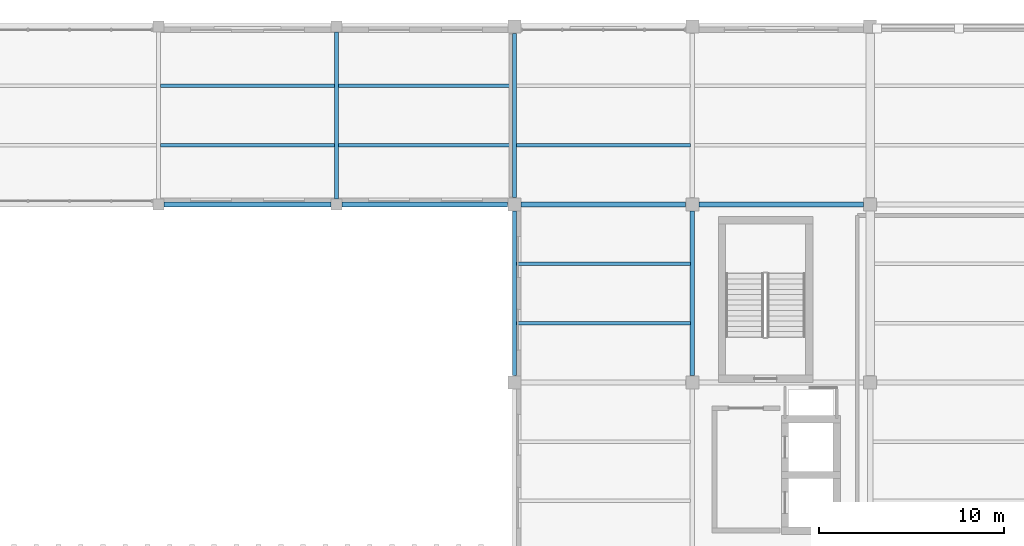
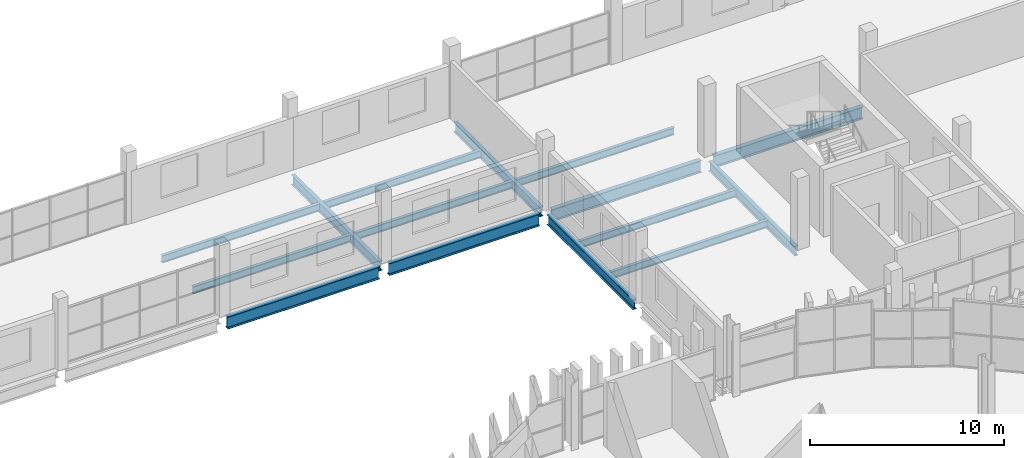
# One storey, part 43 of 92: 15 beams.
"""IFC4 building model written with IfcOpenShell, lengths in metres."""

from ifc_helpers import new_model, si_unit, direction, frame, origin, origin_2d, place, context, subcontext, project, spatial, i_section, extrude, material, material_profile, profile_set, type_object, element, save


model = new_model("IFC4")

# Units and contexts
model_context = context("Model", 3, precision=1e-05, world=origin(), true_north=direction((0.0, 1.0)))
body_context = subcontext(model_context, "Body", "Model", "MODEL_VIEW")
ifc_project = project(units=[si_unit("LENGTHUNIT", "METRE"), si_unit("AREAUNIT", "SQUARE_METRE"), si_unit("VOLUMEUNIT", "CUBIC_METRE"), si_unit("PLANEANGLEUNIT", "RADIAN"), si_unit("MASSUNIT", "GRAM", prefix="KILO")], contexts=[model_context])

# Site, building, storey
site_placement = place(None, origin())
site = spatial("IfcSite", under=ifc_project, at=site_placement, CompositionType="ELEMENT")
building_placement = place(site_placement, origin())
building = spatial("IfcBuilding", under=site, at=building_placement, Name="Caelomonte Colonnade Arena", CompositionType="ELEMENT")
storey_placement = place(building_placement, frame((0.0, 0.0, 9.60009765625)))
storey = spatial("IfcBuildingStorey", under=building, at=storey_placement, Name="L02", CompositionType="ELEMENT", Elevation=9.60009765625)

# Beams
ifc_material = material(Name="Wide-flange steel ASTM A992 Grade 50", Category="steel")
ifc_material_profile_1 = material_profile(ifc_material, i_section(OverallWidth=0.228271484375, OverallDepth=0.607177734375, WebThickness=0.01123046875, FlangeThickness=0.017333984375, FilletRadius=0.0126953125, at=origin_2d()), Name="W24X76")
ifc_profile_set_1 = profile_set([ifc_material_profile_1], Name="Wide-flange steel ASTM A992 Grade 50")
beam_type_1 = type_object("IfcBeamType", Name="STR-BM-GIRD24", PredefinedType="BEAM", material=ifc_profile_set_1)
beam_1_placement = place(storey_placement, frame((134.39990234375, 134.69189453125, -0.58349609375), z_axis=(0.0, 1.0, 0.0), x_axis=(-1.0, 0.0, 0.0)))
element("IfcBeam", 1, at=beam_1_placement, inside=storey, type_object=beam_type_1, Name="L02 girder BMY-L02-1344-1344", PredefinedType="BEAM", context=body_context, shape_type="SweptSolid", body=[
    extrude(i_section(OverallWidth=0.228271484375, OverallDepth=0.607177734375, WebThickness=0.01123046875, FlangeThickness=0.017333984375, FilletRadius=0.0126953125, at=origin_2d()), origin(), (0.0, 0.0, 1.0), 9.01611328125),
])
for number, where, z_axis, x_axis, name in (
    (2, (144.0, 125.1669921875, -0.58349609375), (0.0, 1.0, 0.0), (-1.0, 0.0, 0.0), "L02 girder BMY-L02-1440-1248"),
    (3, (144.0, 134.76708984375, -0.58349609375), (0.0, 1.0, 0.0), (-1.0, 0.0, 0.0), "L02 girder BMY-L02-1440-1344"),
    (4, (153.60009765625, 125.1669921875, -0.58349609375), (0.0, 1.0, 0.0), (-1.0, 0.0, 0.0), "L02 girder BMY-L02-1536-1248"),
):
    element("IfcBeam", number, at=place(storey_placement, frame(where, z_axis=z_axis, x_axis=x_axis)), inside=storey, type_object=beam_type_1, Name=name, PredefinedType="BEAM", context=body_context, shape_type="SweptSolid", body=[
        extrude(i_section(OverallWidth=0.228271484375, OverallDepth=0.607177734375, WebThickness=0.01123046875, FlangeThickness=0.017333984375, FilletRadius=0.0126953125, at=origin_2d()), origin(), (0.0, 0.0, 1.0), 8.865966796875),
    ])
ifc_material_profile_2 = material_profile(ifc_material, i_section(OverallWidth=0.2666015625, OverallDepth=0.761962890625, WebThickness=0.014404296875, FlangeThickness=0.021484375, FilletRadius=0.0166015625, at=origin_2d()), Name="W30X116")
ifc_profile_set_2 = profile_set([ifc_material_profile_2], Name="Wide-flange steel ASTM A992 Grade 50")
beam_type_2 = type_object("IfcBeamType", Name="STR-BM-GIRD30", PredefinedType="BEAM", material=ifc_profile_set_2)
beam_2_placement = place(storey_placement, frame((125.092041015625, 134.39990234375, -0.6611328125), z_axis=(1.0, 0.0, 0.0), x_axis=(0.0, 1.0, 0.0)))
element("IfcBeam", 5, at=beam_2_placement, inside=storey, type_object=beam_type_2, Name="L02 girder BMX-L02-1248-1344", PredefinedType="BEAM", context=body_context, shape_type="SweptSolid", body=[
    extrude(i_section(OverallWidth=0.2666015625, OverallDepth=0.761962890625, WebThickness=0.014404296875, FlangeThickness=0.021484375, FilletRadius=0.0166015625, at=origin_2d()), origin(), (0.0, 0.0, 1.0), 9.015869140625),
])
beam_3_placement = place(storey_placement, frame((134.69189453125, 134.39990234375, -0.6611328125), z_axis=(1.0, 0.0, 0.0), x_axis=(0.0, 1.0, 0.0)))
element("IfcBeam", 6, at=beam_3_placement, inside=storey, type_object=beam_type_2, Name="L02 girder BMX-L02-1344-1344", PredefinedType="BEAM", context=body_context, shape_type="SweptSolid", body=[
    extrude(i_section(OverallWidth=0.2666015625, OverallDepth=0.761962890625, WebThickness=0.014404296875, FlangeThickness=0.021484375, FilletRadius=0.0166015625, at=origin_2d()), origin(), (0.0, 0.0, 1.0), 8.941162109375),
])
for number, where, z_axis, x_axis, name in (
    (7, (144.366943359375, 134.39990234375, -0.6611328125), (1.0, 0.0, 0.0), (0.0, 1.0, 0.0), "L02 girder BMX-L02-1440-1344"),
    (8, (153.967041015625, 134.39990234375, -0.6611328125), (1.0, 0.0, 0.0), (0.0, 1.0, 0.0), "L02 girder BMX-L02-1536-1344"),
):
    element("IfcBeam", number, at=place(storey_placement, frame(where, z_axis=z_axis, x_axis=x_axis)), inside=storey, type_object=beam_type_2, Name=name, PredefinedType="BEAM", context=body_context, shape_type="SweptSolid", body=[
        extrude(i_section(OverallWidth=0.2666015625, OverallDepth=0.761962890625, WebThickness=0.014404296875, FlangeThickness=0.021484375, FilletRadius=0.0166015625, at=origin_2d()), origin(), (0.0, 0.0, 1.0), 8.865966796875),
    ])
ifc_material_profile_3 = material_profile(ifc_material, i_section(OverallWidth=0.1904296875, OverallDepth=0.457275390625, WebThickness=0.009033203125, FlangeThickness=0.014404296875, FilletRadius=0.01025390625, at=origin_2d()), Name="W18X50")
ifc_profile_set_3 = profile_set([ifc_material_profile_3], Name="Wide-flange steel ASTM A992 Grade 50")
beam_type_3 = type_object("IfcBeamType", Name="STR-BM-JOIST18", PredefinedType="JOIST", material=ifc_profile_set_3)
for number, where, z_axis, x_axis, name in (
    (9, (124.9091796875, 137.60009765625, -0.5087890625), (1.0, 0.0, 0.0), (0.0, 1.0, 0.0), "L02 secondary joist 1"),
    (10, (124.9091796875, 140.800048828125, -0.5087890625), (1.0, 0.0, 0.0), (0.0, 1.0, 0.0), "L02 secondary joist 2"),
):
    element("IfcBeam", number, at=place(storey_placement, frame(where, z_axis=z_axis, x_axis=x_axis)), inside=storey, type_object=beam_type_3, Name=name, PredefinedType="JOIST", context=body_context, shape_type="SweptSolid", body=[
        extrude(i_section(OverallWidth=0.1904296875, OverallDepth=0.457275390625, WebThickness=0.009033203125, FlangeThickness=0.014404296875, FilletRadius=0.01025390625, at=origin_2d()), origin(), (0.0, 0.0, 1.0), 9.3818359375),
    ])
for number, where, z_axis, x_axis, name in (
    (11, (134.50927734375, 137.60009765625, -0.5087890625), (1.0, 0.0, 0.0), (0.0, 1.0, 0.0), "L02 secondary joist 1"),
    (12, (134.50927734375, 140.800048828125, -0.5087890625), (1.0, 0.0, 0.0), (0.0, 1.0, 0.0), "L02 secondary joist 2"),
    (13, (144.109130859375, 128.0, -0.5087890625), (1.0, 0.0, 0.0), (0.0, 1.0, 0.0), "L02 secondary joist 1"),
    (14, (144.109130859375, 131.199951171875, -0.5087890625), (1.0, 0.0, 0.0), (0.0, 1.0, 0.0), "L02 secondary joist 2"),
    (15, (144.109130859375, 137.60009765625, -0.5087890625), (1.0, 0.0, 0.0), (0.0, 1.0, 0.0), "L02 secondary joist 1"),
):
    element("IfcBeam", number, at=place(storey_placement, frame(where, z_axis=z_axis, x_axis=x_axis)), inside=storey, type_object=beam_type_3, Name=name, PredefinedType="JOIST", context=body_context, shape_type="SweptSolid", body=[
        extrude(i_section(OverallWidth=0.1904296875, OverallDepth=0.457275390625, WebThickness=0.009033203125, FlangeThickness=0.014404296875, FilletRadius=0.01025390625, at=origin_2d()), origin(), (0.0, 0.0, 1.0), 9.381591796875),
    ])

save(model, "model.ifc")
